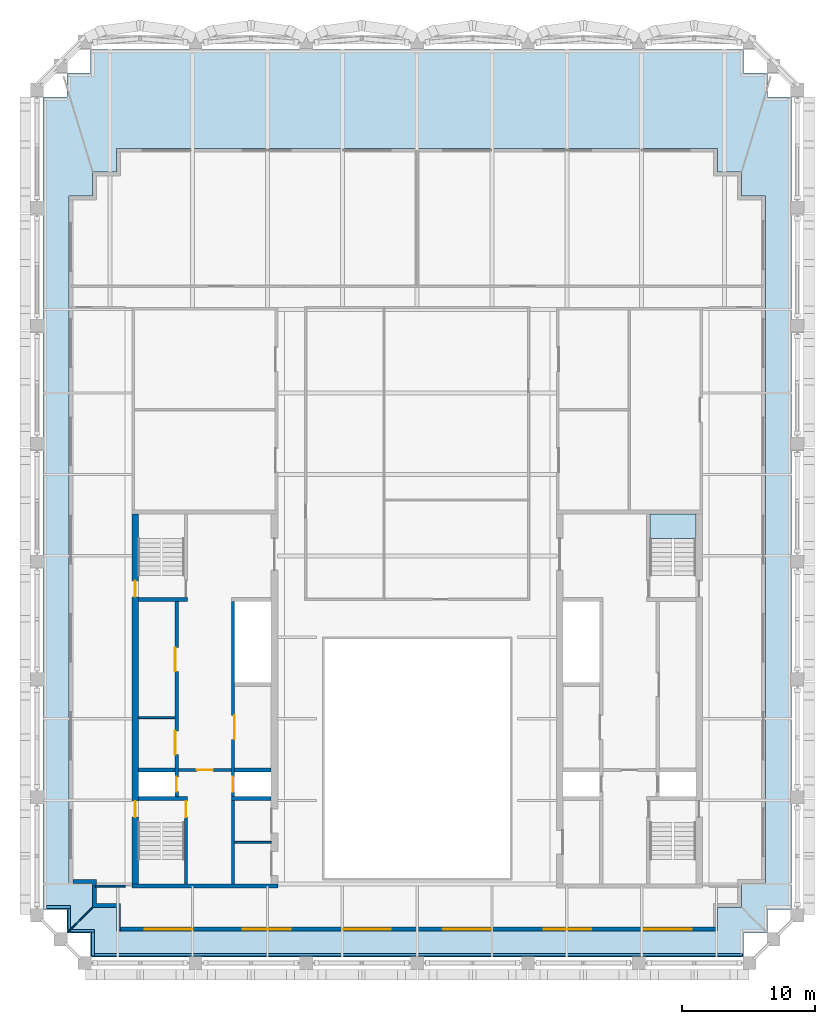
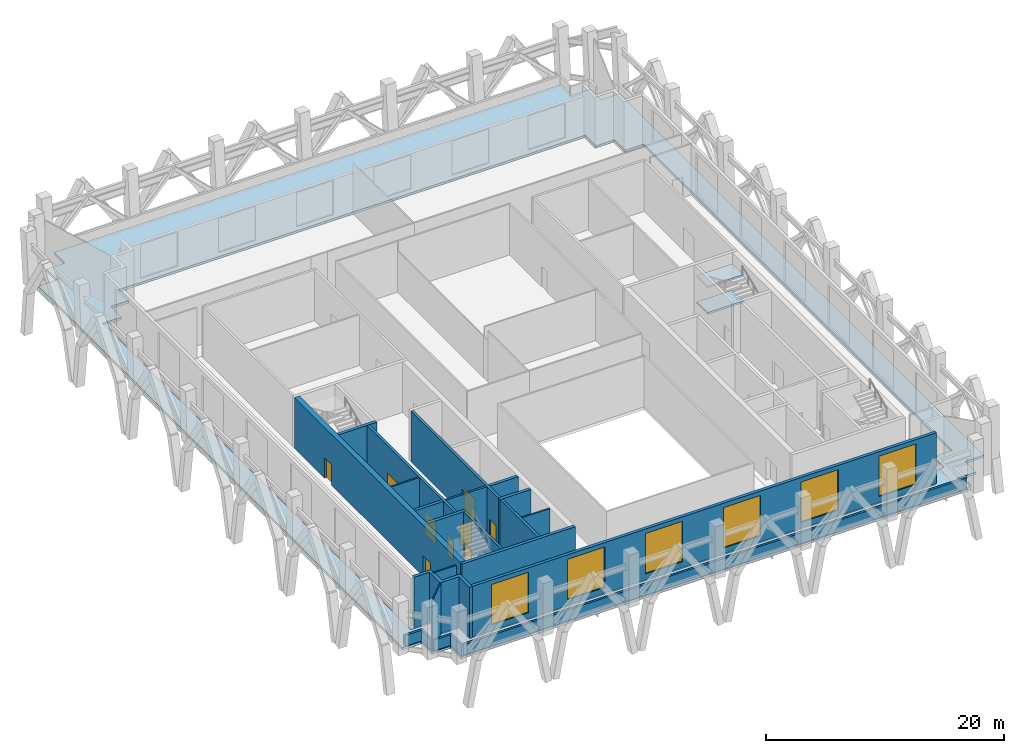
# One storey, part 4 of 13: 22 walls, 9 doors, 6 windows, 3 slabs, 15 openings, 1 element without a shape of its own.
"""IFC4 building model written with IfcOpenShell, lengths in metres."""

from ifc_helpers import new_model, si_unit, direction, frame, frame_2d, origin, place, context, subcontext, project, spatial, polyline, rectangle, outline, extrude, material, layer, layer_set, type_object, element, fill, aggregate, save


model = new_model("IFC4")

# Units and contexts
model_context = context("Model", 3, precision=1e-05, world=origin(), true_north=direction((0.0, 1.0)))
body_context = subcontext(model_context, "Body", "Model", "MODEL_VIEW")
ifc_project = project(units=[si_unit("LENGTHUNIT", "METRE"), si_unit("AREAUNIT", "SQUARE_METRE"), si_unit("VOLUMEUNIT", "CUBIC_METRE"), si_unit("PLANEANGLEUNIT", "RADIAN"), si_unit("MASSUNIT", "GRAM", prefix="KILO")], contexts=[model_context])

# Site, building, storey
site_placement = place(None, origin())
site = spatial("IfcSite", under=ifc_project, at=site_placement, CompositionType="ELEMENT")
building_placement = place(site_placement, origin())
building = spatial("IfcBuilding", under=site, at=building_placement, Name="Ogive Exchange Tower", CompositionType="ELEMENT")
storey_placement = place(building_placement, frame((0.0, 0.0, 363.60009765625)))
storey = spatial("IfcBuildingStorey", under=building, at=storey_placement, Name="L80", CompositionType="ELEMENT", Elevation=363.60009765625)

# Slab
ifc_material_1 = material(Name="Concrete C50/60", Category="concrete")
ifc_layer_1 = layer(ifc_material_1, 0.25)
ifc_layer_set_1 = layer_set([ifc_layer_1], Name="Loggia deck 250")
slab_type_1 = type_object("IfcSlabType", Name="Loggia deck 250", PredefinedType="FLOOR", material=ifc_layer_set_1)
slab_1_placement = place(storey_placement, frame((0.0, 0.0, -0.300048828125)))
element("IfcSlab", 1, at=slab_1_placement, inside=storey, type_object=slab_type_1, Name="Loggia deck", PredefinedType="FLOOR", context=body_context, shape_type="SweptSolid", body=[
    extrude(outline(polyline([(-24.60009765625, -6.14990234375), (-26.39990234375, -6.14990234375), (-26.39990234375, -4.35009765625), (-28.199951171875, -4.35009765625), (-28.199951171875, 56.859130859375), (-26.39990234375, 56.859130859375), (-26.39990234375, 58.6591796875), (-24.60009765625, 58.6591796875), (-24.60009765625, 60.458984375), (24.60009765625, 60.458984375), (24.60009765625, 58.6591796875), (26.39990234375, 58.6591796875), (26.39990234375, 56.859130859375), (28.199951171875, 56.859130859375), (28.199951171875, -4.35009765625), (26.39990234375, -4.35009765625), (26.39990234375, -6.14990234375), (24.60009765625, -6.14990234375), (24.60009765625, -7.949951171875), (-24.60009765625, -7.949951171875), (-24.60009765625, -6.14990234375)]), holes=[polyline([(22.64990234375, -4.199951171875), (24.449951171875, -4.199951171875), (24.449951171875, -2.39990234375), (26.25, -2.39990234375), (26.25, 49.39990234375), (24.449951171875, 49.39990234375), (24.449951171875, 51.199951171875), (22.64990234375, 51.199951171875), (22.64990234375, 53.0), (-22.64990234375, 53.0), (-22.64990234375, 51.199951171875), (-24.449951171875, 51.199951171875), (-24.449951171875, 49.39990234375), (-26.25, 49.39990234375), (-26.25, -2.39990234375), (-24.449951171875, -2.39990234375), (-24.449951171875, -4.199951171875), (-22.64990234375, -4.199951171875), (-22.64990234375, -6.0), (22.64990234375, -6.0), (22.64990234375, -4.199951171875)])]), origin(), (0.0, 0.0, 1.0), 0.25),
])

# Stair, slabs
ifc_material_2 = material(Name="Concrete C40/50", Category="concrete")
stair_type = type_object("IfcStairType", Name="Exit stair 1650 wide", PredefinedType="HALF_TURN_STAIR", material=ifc_material_2)
stair_placement = place(storey_placement, origin())
stair = element("IfcStair", 2, at=stair_placement, inside=storey, type_object=stair_type, Name="L80 exit stair ST4", PredefinedType="HALF_TURN_STAIR")
ifc_layer_2 = layer(ifc_material_2, 0.199951171875)
ifc_layer_set_2 = layer_set([ifc_layer_2], Name="Stair landing 200 slab")
slab_type_2 = type_object("IfcSlabType", Name="Stair landing 200 slab", PredefinedType="LANDING", material=ifc_layer_set_2)
slab_2_placement = place(storey_placement, frame((0.0, 0.0, 1.14990234375)))
slab_2 = element("IfcSlab", 3, at=slab_2_placement, type_object=slab_type_2, Name="ST4 landing 1", PredefinedType="LANDING", context=body_context, shape_type="SweptSolid", body=[
    extrude(outline(polyline([(21.0, 23.60791015625), (21.0, 25.449951171875), (17.550048828125, 25.449951171875), (17.550048828125, 23.60791015625), (21.0, 23.60791015625)])), origin(), (0.0, 0.0, 1.0), 0.199951171875),
])
slab_3_placement = place(storey_placement, frame((0.0, 0.0, 3.849853515625)))
slab_3 = element("IfcSlab", 4, at=slab_3_placement, type_object=slab_type_2, Name="ST4 landing 3", PredefinedType="LANDING", context=body_context, shape_type="SweptSolid", body=[
    extrude(outline(polyline([(21.0, 23.60791015625), (21.0, 25.449951171875), (17.550048828125, 25.449951171875), (17.550048828125, 23.60791015625), (21.0, 23.60791015625)])), origin(), (0.0, 0.0, 1.0), 0.199951171875),
])
aggregate(stair, [slab_2, slab_3])

# Walls
ifc_material_3 = material(Name="Gypsum board partition")
ifc_layer_3 = layer(ifc_material_3, 0.14990234375)
ifc_layer_set_3 = layer_set([ifc_layer_3], Name="Core room partition 150 gypsum")
wall_type_1 = type_object("IfcWallType", Name="Core room partition 150 gypsum", PredefinedType="PARTITIONING", material=ifc_layer_set_3)
for number, where, z_axis, x_axis, name in (
    (5, (-21.0, 10.10009765625, 0.0), (0.0, 0.0, 1.0), (1.0, 0.0, 0.0), "W row A bay partition 1-1"),
    (6, (-13.75, 0.699951171875, 0.0), (0.0, 0.0, 1.0), (1.0, 0.0, 0.0), "W south room partition"),
):
    element("IfcWall", number, at=place(storey_placement, frame(where, z_axis=z_axis, x_axis=x_axis)), inside=storey, type_object=wall_type_1, Name=name, PredefinedType="PARTITIONING", context=body_context, shape_type="SweptSolid", body=[
        extrude(rectangle(XDim=2.75, YDim=0.14990234375, at=frame_2d((1.375, 0.0))), origin(), (0.0, 0.0, 1.0), 5.199951171875),
    ])
ifc_material_4 = material(Name="Fire partition EI 60 150")
ifc_layer_4 = layer(ifc_material_4, 0.14990234375)
ifc_layer_set_4 = layer_set([ifc_layer_4], Name="Fire partition EI 60 150")
wall_type_2 = type_object("IfcWallType", Name="Fire partition EI 60 150", PredefinedType="PARTITIONING", material=ifc_layer_set_4)
wall_1_placement = place(storey_placement, frame((-24.25, -2.60009765625, 0.0), z_axis=(0.0, 0.0, 1.0), x_axis=(1.0, 0.0, 0.0)))
element("IfcWall", 7, at=wall_1_placement, inside=storey, type_object=wall_type_2, Name="L80-PWL-002", PredefinedType="PARTITIONING", context=body_context, shape_type="SweptSolid", body=[
    extrude(rectangle(XDim=2.25, YDim=0.14990234375, at=frame_2d((1.125, 0.0))), origin(), (0.0, 0.0, 1.0), 5.199951171875),
])

# Wall, openings, windows
ifc_material_5 = material(Name="Precast concrete C40/50", Category="concrete")
ifc_layer_5 = layer(ifc_material_5, 0.300048828125)
ifc_layer_set_5 = layer_set([ifc_layer_5], Name="Limestone-faced wall 300")
wall_type_3 = type_object("IfcWallType", Name="Limestone-faced wall 300", PredefinedType="STANDARD", material=ifc_layer_set_5)
wall_2_placement = place(storey_placement, frame((-22.35009765625, -5.85009765625, 0.0), z_axis=(0.0, 0.0, 1.0), x_axis=(1.0, 0.0, 0.0)))
wall_2 = element("IfcWall", 8, at=wall_2_placement, inside=storey, type_object=wall_type_3, Name="External wall S1", PredefinedType="STANDARD", context=body_context, shape_type="SweptSolid", body=[
    extrude(rectangle(XDim=45.0, YDim=0.300048828125, at=frame_2d((22.5, 0.0))), origin(), (0.0, 0.0, 1.0), 5.199951171875),
])
opening_1_placement = place(wall_2_placement, frame((1.824951171875, 0.0, 0.60009765625)))
opening_1 = element("IfcOpeningElement", 9, at=opening_1_placement, cuts=wall_2, Name="Opening LV1", PredefinedType="OPENING", context=body_context, shape_type="SweptSolid", body=[
    extrude(rectangle(XDim=3.60009765625, YDim=4.14990234375, at=frame_2d((1.800048828125, 2.074951171875))), frame((0.0, 0.159912109375, 0.0), z_axis=(0.0, -1.0, 0.0), x_axis=(1.0, 0.0, 0.0)), (0.0, 0.0, 1.0), 0.320068359375),
])
opening_2_placement = place(wall_2_placement, frame((9.22509765625, 0.0, 0.60009765625)))
opening_2 = element("IfcOpeningElement", 10, at=opening_2_placement, cuts=wall_2, Name="Opening LV1", PredefinedType="OPENING", context=body_context, shape_type="SweptSolid", body=[
    extrude(rectangle(XDim=3.60009765625, YDim=4.14990234375, at=frame_2d((1.800048828125, 2.074951171875))), frame((0.0, 0.159912109375, 0.0), z_axis=(0.0, -1.0, 0.0), x_axis=(1.0, 0.0, 0.0)), (0.0, 0.0, 1.0), 0.320068359375),
])
opening_3_placement = place(wall_2_placement, frame((16.77490234375, 0.0, 0.60009765625)))
opening_3 = element("IfcOpeningElement", 11, at=opening_3_placement, cuts=wall_2, Name="Opening LV1", PredefinedType="OPENING", context=body_context, shape_type="SweptSolid", body=[
    extrude(rectangle(XDim=3.60009765625, YDim=4.14990234375, at=frame_2d((1.800048828125, 2.074951171875))), frame((0.0, 0.159912109375, 0.0), z_axis=(0.0, -1.0, 0.0), x_axis=(1.0, 0.0, 0.0)), (0.0, 0.0, 1.0), 0.320068359375),
])
opening_4_placement = place(wall_2_placement, frame((24.324951171875, 0.0, 0.60009765625)))
opening_4 = element("IfcOpeningElement", 12, at=opening_4_placement, cuts=wall_2, Name="Opening LV1", PredefinedType="OPENING", context=body_context, shape_type="SweptSolid", body=[
    extrude(rectangle(XDim=3.60009765625, YDim=4.14990234375, at=frame_2d((1.800048828125, 2.074951171875))), frame((0.0, 0.159912109375, 0.0), z_axis=(0.0, -1.0, 0.0), x_axis=(1.0, 0.0, 0.0)), (0.0, 0.0, 1.0), 0.320068359375),
])
opening_5_placement = place(wall_2_placement, frame((31.875, 0.0, 0.60009765625)))
opening_5 = element("IfcOpeningElement", 13, at=opening_5_placement, cuts=wall_2, Name="Opening LV1", PredefinedType="OPENING", context=body_context, shape_type="SweptSolid", body=[
    extrude(rectangle(XDim=3.60009765625, YDim=4.14990234375, at=frame_2d((1.800048828125, 2.074951171875))), frame((0.0, 0.159912109375, 0.0), z_axis=(0.0, -1.0, 0.0), x_axis=(1.0, 0.0, 0.0)), (0.0, 0.0, 1.0), 0.320068359375),
])
opening_6_placement = place(wall_2_placement, frame((39.425048828125, 0.0, 0.60009765625)))
opening_6 = element("IfcOpeningElement", 14, at=opening_6_placement, cuts=wall_2, Name="Opening LV1", PredefinedType="OPENING", context=body_context, shape_type="SweptSolid", body=[
    extrude(rectangle(XDim=3.60009765625, YDim=4.14990234375, at=frame_2d((1.800048828125, 2.074951171875))), frame((0.0, 0.159912109375, 0.0), z_axis=(0.0, -1.0, 0.0), x_axis=(1.0, 0.0, 0.0)), (0.0, 0.0, 1.0), 0.320068359375),
])
ifc_material_6 = material(Name="Anodised aluminium louvre", Category="aluminium")
window_type = type_object("IfcWindowType", Name="Plant louvre 3600 x 4150", PartitioningType="DOUBLE_PANEL_HORIZONTAL", PredefinedType="WINDOW", material=ifc_material_6)
window_1_placement = place(opening_1_placement, origin())
window_1 = element("IfcWindow", 15, at=window_1_placement, inside=storey, type_object=window_type, Name="Louvre S00", OverallHeight=4.14990234375, OverallWidth=3.60009765625, PartitioningType="DOUBLE_PANEL_HORIZONTAL", PredefinedType="WINDOW", context=body_context, shape_type="SweptSolid", body=[
    extrude(rectangle(XDim=3.60009765625, YDim=4.14990234375, at=frame_2d((1.800048828125, 2.074951171875))), frame((0.0, 0.030029296875, 0.0), z_axis=(0.0, -1.0, 0.0), x_axis=(1.0, 0.0, 0.0)), (0.0, 0.0, 1.0), 0.06005859375),
])
fill(opening_1, window_1)
window_2_placement = place(opening_2_placement, origin())
window_2 = element("IfcWindow", 16, at=window_2_placement, inside=storey, type_object=window_type, Name="Louvre S01", OverallHeight=4.14990234375, OverallWidth=3.60009765625, PartitioningType="DOUBLE_PANEL_HORIZONTAL", PredefinedType="WINDOW", context=body_context, shape_type="SweptSolid", body=[
    extrude(rectangle(XDim=3.60009765625, YDim=4.14990234375, at=frame_2d((1.800048828125, 2.074951171875))), frame((0.0, 0.030029296875, 0.0), z_axis=(0.0, -1.0, 0.0), x_axis=(1.0, 0.0, 0.0)), (0.0, 0.0, 1.0), 0.06005859375),
])
fill(opening_2, window_2)
window_3_placement = place(opening_3_placement, origin())
window_3 = element("IfcWindow", 17, at=window_3_placement, inside=storey, type_object=window_type, Name="Louvre S02", OverallHeight=4.14990234375, OverallWidth=3.60009765625, PartitioningType="DOUBLE_PANEL_HORIZONTAL", PredefinedType="WINDOW", context=body_context, shape_type="SweptSolid", body=[
    extrude(rectangle(XDim=3.60009765625, YDim=4.14990234375, at=frame_2d((1.800048828125, 2.074951171875))), frame((0.0, 0.030029296875, 0.0), z_axis=(0.0, -1.0, 0.0), x_axis=(1.0, 0.0, 0.0)), (0.0, 0.0, 1.0), 0.06005859375),
])
fill(opening_3, window_3)
window_4_placement = place(opening_4_placement, origin())
window_4 = element("IfcWindow", 18, at=window_4_placement, inside=storey, type_object=window_type, Name="Louvre S03", OverallHeight=4.14990234375, OverallWidth=3.60009765625, PartitioningType="DOUBLE_PANEL_HORIZONTAL", PredefinedType="WINDOW", context=body_context, shape_type="SweptSolid", body=[
    extrude(rectangle(XDim=3.60009765625, YDim=4.14990234375, at=frame_2d((1.800048828125, 2.074951171875))), frame((0.0, 0.030029296875, 0.0), z_axis=(0.0, -1.0, 0.0), x_axis=(1.0, 0.0, 0.0)), (0.0, 0.0, 1.0), 0.06005859375),
])
fill(opening_4, window_4)
window_5_placement = place(opening_5_placement, origin())
window_5 = element("IfcWindow", 19, at=window_5_placement, inside=storey, type_object=window_type, Name="Louvre S04", OverallHeight=4.14990234375, OverallWidth=3.60009765625, PartitioningType="DOUBLE_PANEL_HORIZONTAL", PredefinedType="WINDOW", context=body_context, shape_type="SweptSolid", body=[
    extrude(rectangle(XDim=3.60009765625, YDim=4.14990234375, at=frame_2d((1.800048828125, 2.074951171875))), frame((0.0, 0.030029296875, 0.0), z_axis=(0.0, -1.0, 0.0), x_axis=(1.0, 0.0, 0.0)), (0.0, 0.0, 1.0), 0.06005859375),
])
fill(opening_5, window_5)
window_6_placement = place(opening_6_placement, origin())
window_6 = element("IfcWindow", 20, at=window_6_placement, inside=storey, type_object=window_type, Name="Louvre S05", OverallHeight=4.14990234375, OverallWidth=3.60009765625, PartitioningType="DOUBLE_PANEL_HORIZONTAL", PredefinedType="WINDOW", context=body_context, shape_type="SweptSolid", body=[
    extrude(rectangle(XDim=3.60009765625, YDim=4.14990234375, at=frame_2d((1.800048828125, 2.074951171875))), frame((0.0, 0.030029296875, 0.0), z_axis=(0.0, -1.0, 0.0), x_axis=(1.0, 0.0, 0.0)), (0.0, 0.0, 1.0), 0.06005859375),
])
fill(opening_6, window_6)

# Walls
wall_3_placement = place(storey_placement, origin())
element("IfcWall", 21, at=wall_3_placement, inside=storey, type_object=wall_type_3, Name="External corner wall C4", PredefinedType="STANDARD", context=body_context, shape_type="SweptSolid", body=[
    extrude(outline(polyline([(-22.64990234375, -4.199951171875), (-24.449951171875, -4.199951171875), (-24.449951171875, -2.39990234375), (-25.949951171875, -2.39990234375), (-25.949951171875, -2.10009765625), (-24.14990234375, -2.10009765625), (-24.14990234375, -3.89990234375), (-22.35009765625, -3.89990234375), (-22.35009765625, -6.0), (-22.64990234375, -6.0), (-22.64990234375, -4.199951171875)])), origin(), (0.0, 0.0, 1.0), 5.199951171875),
])
ifc_material_7 = material(Name="Laminated safety glass in steel frame", Category="steel")
ifc_layer_6 = layer(ifc_material_7, 0.10009765625)
ifc_layer_set_6 = layer_set([ifc_layer_6], Name="Loggia end screen 100")
wall_type_4 = type_object("IfcWallType", Name="Loggia end screen 100", PredefinedType="STANDARD", material=ifc_layer_set_6)
wall_4_placement = place(storey_placement, frame((-24.449951171875, -4.199951171875, -0.050048828125), z_axis=(0.0, 0.0, 1.0), x_axis=(-0.707106781187, -0.707106781187, 0.0)))
element("IfcWall", 22, at=wall_4_placement, inside=storey, type_object=wall_type_4, Name="Loggia end screen C4", PredefinedType="STANDARD", context=body_context, shape_type="SweptSolid", body=[
    extrude(rectangle(XDim=2.667236328125, YDim=0.10009765625, at=frame_2d((1.33349609375, 0.0))), origin(), (0.0, 0.0, 1.0), 5.25),
])
ifc_layer_7 = layer(ifc_material_5, 0.199951171875)
ifc_layer_set_7 = layer_set([ifc_layer_7], Name="Plant deck parapet 200")
wall_type_5 = type_object("IfcWallType", Name="Plant deck parapet 200", PredefinedType="STANDARD", material=ifc_layer_set_7)
wall_5_placement = place(storey_placement, frame((-24.330078125, -7.780029296875, -0.050048828125), z_axis=(0.0, 0.0, 1.0), x_axis=(1.0, 0.0, 0.0)))
element("IfcWall", 23, at=wall_5_placement, inside=storey, type_object=wall_type_5, Name="Plant deck parapet 1", PredefinedType="STANDARD", context=body_context, shape_type="SweptSolid", body=[
    extrude(rectangle(XDim=48.860107421875, YDim=0.199951171875, at=frame_2d((24.43017578125, 0.0))), origin(), (0.0, 0.0, 1.0), 1.099853515625),
])
wall_6_placement = place(storey_placement, frame((-27.929931640625, -4.179931640625, -0.050048828125), z_axis=(0.0, 0.0, 1.0), x_axis=(1.0, 0.0, 0.0)))
element("IfcWall", 24, at=wall_6_placement, inside=storey, type_object=wall_type_5, Name="Plant deck parapet 17", PredefinedType="STANDARD", context=body_context, shape_type="SweptSolid", body=[
    extrude(rectangle(XDim=1.800048828125, YDim=0.199951171875, at=frame_2d((0.89990234375, 0.0))), origin(), (0.0, 0.0, 1.0), 1.099853515625),
])
wall_7_placement = place(storey_placement, frame((-26.22998046875, -4.280029296875, -0.050048828125), z_axis=(0.0, 0.0, 1.0), x_axis=(0.0, -1.0, 0.0)))
element("IfcWall", 25, at=wall_7_placement, inside=storey, type_object=wall_type_5, Name="Plant deck parapet 18", PredefinedType="STANDARD", context=body_context, shape_type="SweptSolid", body=[
    extrude(rectangle(XDim=1.608154296875, YDim=0.199951171875, at=frame_2d((0.80419921875, 0.0))), origin(), (0.0, 0.0, 1.0), 1.099853515625),
])
for number, where, z_axis, x_axis, name in (
    (26, (-26.1298828125, -5.97998046875, -0.050048828125), (0.0, 0.0, 1.0), (1.0, 0.0, 0.0), "Plant deck parapet 19"),
    (27, (-24.429931640625, -6.080078125, -0.050048828125), (0.0, 0.0, 1.0), (0.0, -1.0, 0.0), "Plant deck parapet 20"),
):
    element("IfcWall", number, at=place(storey_placement, frame(where, z_axis=z_axis, x_axis=x_axis)), inside=storey, type_object=wall_type_5, Name=name, PredefinedType="STANDARD", context=body_context, shape_type="SweptSolid", body=[
        extrude(rectangle(XDim=1.7998046875, YDim=0.199951171875, at=frame_2d((0.89990234375, 0.0))), origin(), (0.0, 0.0, 1.0), 1.099853515625),
    ])

# Wall, opening, door
ifc_material_8 = material(Name="Concrete C70/85", Category="concrete")
ifc_layer_8 = layer(ifc_material_8, 0.199951171875)
ifc_layer_set_8 = layer_set([ifc_layer_8], Name="RC core wall 200 C70/85")
wall_type_6 = type_object("IfcWallType", Name="RC core wall 200 C70/85", PredefinedType="SHEAR", material=ifc_layer_set_8)
wall_8_placement = place(storey_placement, frame((-18.0, 6.142822265625, 0.0), z_axis=(0.0, 0.0, 1.0), x_axis=(1.0, 0.0, 0.0)))
wall_8 = element("IfcWall", 28, at=wall_8_placement, inside=storey, type_object=wall_type_6, Name="W firefighting lobby wall", PredefinedType="SHEAR", context=body_context, shape_type="SweptSolid", body=[
    extrude(rectangle(XDim=4.0, YDim=0.199951171875, at=frame_2d((2.0, 0.0))), origin(), (0.0, 0.0, 1.0), 5.199951171875),
])
opening_7_placement = place(wall_8_placement, frame((1.39990234375, 0.0, 0.0)))
opening_7 = element("IfcOpeningElement", 29, at=opening_7_placement, cuts=wall_8, Name="Opening L80-C06", PredefinedType="OPENING", context=body_context, shape_type="SweptSolid", body=[
    extrude(rectangle(XDim=1.199951171875, YDim=2.10009765625, at=frame_2d((0.60009765625, 1.050048828125))), frame((0.0, 0.10986328125, 0.0), z_axis=(0.0, -1.0, 0.0), x_axis=(1.0, 0.0, 0.0)), (0.0, 0.0, 1.0), 0.219970703125),
])
ifc_material_9 = material(Name="Steel fire door", Category="steel")
door_type_1 = type_object("IfcDoorType", Name="Firefighting lobby door FD60 1200 x 2100", OperationType="NOTDEFINED", PredefinedType="DOOR", material=ifc_material_9)
door_1_placement = place(opening_7_placement, frame((1.199951171875, 0.0, 0.0), z_axis=(0.0, 0.0, 1.0), x_axis=(-1.0, 0.0, 0.0)))
door_1 = element("IfcDoor", 30, at=door_1_placement, inside=storey, type_object=door_type_1, Name="Firefighting lobby door", ObjectType="CD3", OperationType="SINGLE_SWING_RIGHT", OverallHeight=2.10009765625, OverallWidth=1.199951171875, PredefinedType="DOOR", context=body_context, shape_type="SweptSolid", body=[
    extrude(rectangle(XDim=1.199951171875, YDim=2.10009765625, at=frame_2d((0.60009765625, 1.050048828125))), frame((0.0, 0.02490234375, 0.0), z_axis=(0.0, -1.0, 0.0), x_axis=(1.0, 0.0, 0.0)), (0.0, 0.0, 1.0), 0.050048828125),
])
fill(opening_7, door_1)

ifc_layer_9 = layer(ifc_material_8, 0.25)
ifc_layer_set_9 = layer_set([ifc_layer_9], Name="RC core wall 250 C70/85")
wall_type_7 = type_object("IfcWallType", Name="RC core wall 250 C70/85", PredefinedType="SHEAR", material=ifc_layer_set_9)
wall_9_placement = place(storey_placement, frame((-17.425048828125, -2.449951171875, 0.0), z_axis=(0.0, 0.0, 1.0), x_axis=(0.0, 1.0, 0.0)))
wall_9 = element("IfcWall", 31, at=wall_9_placement, inside=storey, type_object=wall_type_7, Name="W stair S front wall", PredefinedType="SHEAR", context=body_context, shape_type="SweptSolid", body=[
    extrude(rectangle(XDim=6.300048828125, YDim=0.25, at=frame_2d((3.14990234375, 0.0))), origin(), (0.0, 0.0, 1.0), 5.199951171875),
])
opening_8_placement = place(wall_9_placement, frame((5.050048828125, 0.0, 0.0)))
opening_8 = element("IfcOpeningElement", 32, at=opening_8_placement, cuts=wall_9, Name="Opening L80-C08", PredefinedType="OPENING", context=body_context, shape_type="SweptSolid", body=[
    extrude(rectangle(XDim=1.199951171875, YDim=2.10009765625, at=frame_2d((0.60009765625, 1.050048828125))), frame((0.0, 0.135009765625, 0.0), z_axis=(0.0, -1.0, 0.0), x_axis=(1.0, 0.0, 0.0)), (0.0, 0.0, 1.0), 0.27001953125),
])
door_type_2 = type_object("IfcDoorType", Name="Stair door FD90 1200 x 2100", OperationType="NOTDEFINED", PredefinedType="DOOR", material=ifc_material_9)
door_2_placement = place(opening_8_placement, origin())
door_2 = element("IfcDoor", 33, at=door_2_placement, inside=storey, type_object=door_type_2, Name="Stair door", ObjectType="CD5", OperationType="SINGLE_SWING_LEFT", OverallHeight=2.10009765625, OverallWidth=1.199951171875, PredefinedType="DOOR", context=body_context, shape_type="SweptSolid", body=[
    extrude(rectangle(XDim=1.199951171875, YDim=2.10009765625, at=frame_2d((0.60009765625, 1.050048828125))), frame((0.0, 0.02490234375, 0.0), z_axis=(0.0, -1.0, 0.0), x_axis=(1.0, 0.0, 0.0)), (0.0, 0.0, 1.0), 0.050048828125),
])
fill(opening_8, door_2)

# Wall, openings, doors
wall_10_placement = place(storey_placement, frame((-18.125, 4.14990234375, 0.0), z_axis=(0.0, 0.0, 1.0), x_axis=(0.0, 1.0, 0.0)))
wall_10 = element("IfcWall", 34, at=wall_10_placement, inside=storey, type_object=wall_type_7, Name="W row A front wall", PredefinedType="SHEAR", context=body_context, shape_type="SweptSolid", body=[
    extrude(rectangle(XDim=14.7001953125, YDim=0.25, at=frame_2d((7.35009765625, 0.0))), origin(), (0.0, 0.0, 1.0), 5.199951171875),
])
opening_9_placement = place(wall_10_placement, frame((3.146484375, 0.0, 0.0)))
opening_9 = element("IfcOpeningElement", 35, at=opening_9_placement, cuts=wall_10, Name="Opening L80-C01", PredefinedType="OPENING", context=body_context, shape_type="SweptSolid", body=[
    extrude(rectangle(XDim=1.800048828125, YDim=2.39990234375, at=frame_2d((0.89990234375, 1.199951171875))), frame((0.0, 0.135009765625, 0.0), z_axis=(0.0, -1.0, 0.0), x_axis=(1.0, 0.0, 0.0)), (0.0, 0.0, 1.0), 0.27001953125),
])
opening_10_placement = place(wall_10_placement, frame((9.425048828125, 0.0, 0.0)))
opening_10 = element("IfcOpeningElement", 36, at=opening_10_placement, cuts=wall_10, Name="Opening L80-C02", PredefinedType="OPENING", context=body_context, shape_type="SweptSolid", body=[
    extrude(rectangle(XDim=1.800048828125, YDim=2.39990234375, at=frame_2d((0.89990234375, 1.199951171875))), frame((0.0, 0.135009765625, 0.0), z_axis=(0.0, -1.0, 0.0), x_axis=(1.0, 0.0, 0.0)), (0.0, 0.0, 1.0), 0.27001953125),
])
opening_11_placement = place(wall_10_placement, frame((0.371337890625, 0.0, 0.0)))
opening_11 = element("IfcOpeningElement", 37, at=opening_11_placement, cuts=wall_10, Name="Opening L80-C03", PredefinedType="OPENING", context=body_context, shape_type="SweptSolid", body=[
    extrude(rectangle(XDim=1.10009765625, YDim=2.10009765625, at=frame_2d((0.550048828125, 1.050048828125))), frame((0.0, 0.135009765625, 0.0), z_axis=(0.0, -1.0, 0.0), x_axis=(1.0, 0.0, 0.0)), (0.0, 0.0, 1.0), 0.27001953125),
])
ifc_material_10 = material(Name="Stainless steel", Category="steel")
door_type_3 = type_object("IfcDoorType", Name="Lift landing door FD90 1100 x 2100", OperationType="SLIDING_TO_LEFT", PredefinedType="DOOR", material=ifc_material_10)
door_3_placement = place(opening_11_placement, origin())
door_3 = element("IfcDoor", 38, at=door_3_placement, inside=storey, type_object=door_type_3, Name="Lift landing door FF1", ObjectType="LD", OperationType="SLIDING_TO_LEFT", OverallHeight=2.10009765625, OverallWidth=1.10009765625, PredefinedType="DOOR", context=body_context, shape_type="SweptSolid", body=[
    extrude(rectangle(XDim=1.10009765625, YDim=2.10009765625, at=frame_2d((0.550048828125, 1.050048828125))), frame((0.0, 0.02490234375, 0.0), z_axis=(0.0, -1.0, 0.0), x_axis=(1.0, 0.0, 0.0)), (0.0, 0.0, 1.0), 0.050048828125),
])
fill(opening_11, door_3)
door_type_4 = type_object("IfcDoorType", Name="Plant room door FD60 1800 x 2400", OperationType="DOUBLE_DOOR_SINGLE_SWING", PredefinedType="DOOR", material=ifc_material_9)
door_4_placement = place(opening_9_placement, origin())
door_4 = element("IfcDoor", 39, at=door_4_placement, inside=storey, type_object=door_type_4, Name="Plant room door", ObjectType="CD1", OperationType="DOUBLE_DOOR_SINGLE_SWING", OverallHeight=2.39990234375, OverallWidth=1.800048828125, PredefinedType="DOOR", context=body_context, shape_type="SweptSolid", body=[
    extrude(rectangle(XDim=1.800048828125, YDim=2.39990234375, at=frame_2d((0.89990234375, 1.199951171875))), frame((0.0, 0.125, 0.0), z_axis=(0.0, -1.0, 0.0), x_axis=(1.0, 0.0, 0.0)), (0.0, 0.0, 1.0), 0.050048828125),
])
fill(opening_9, door_4)
door_5_placement = place(opening_10_placement, origin())
door_5 = element("IfcDoor", 40, at=door_5_placement, inside=storey, type_object=door_type_4, Name="Plant room door", ObjectType="CD1", OperationType="DOUBLE_DOOR_SINGLE_SWING", OverallHeight=2.39990234375, OverallWidth=1.800048828125, PredefinedType="DOOR", context=body_context, shape_type="SweptSolid", body=[
    extrude(rectangle(XDim=1.800048828125, YDim=2.39990234375, at=frame_2d((0.89990234375, 1.199951171875))), frame((0.0, 0.125, 0.0), z_axis=(0.0, -1.0, 0.0), x_axis=(1.0, 0.0, 0.0)), (0.0, 0.0, 1.0), 0.050048828125),
])
fill(opening_10, door_5)

wall_11_placement = place(storey_placement, frame((-13.875, -2.449951171875, 0.0), z_axis=(0.0, 0.0, 1.0), x_axis=(0.0, 1.0, 0.0)))
wall_11 = element("IfcWall", 41, at=wall_11_placement, inside=storey, type_object=wall_type_7, Name="W row B front wall", PredefinedType="SHEAR", context=body_context, shape_type="SweptSolid", body=[
    extrude(rectangle(XDim=21.300048828125, YDim=0.25, at=frame_2d((10.64990234375, 0.0))), origin(), (0.0, 0.0, 1.0), 5.199951171875),
])
opening_12_placement = place(wall_11_placement, frame((10.906982421875, 0.0, 0.0)))
opening_12 = element("IfcOpeningElement", 42, at=opening_12_placement, cuts=wall_11, Name="Opening L80-C04", PredefinedType="OPENING", context=body_context, shape_type="SweptSolid", body=[
    extrude(rectangle(XDim=1.800048828125, YDim=2.39990234375, at=frame_2d((0.89990234375, 1.199951171875))), frame((0.0, 0.135009765625, 0.0), z_axis=(0.0, -1.0, 0.0), x_axis=(1.0, 0.0, 0.0)), (0.0, 0.0, 1.0), 0.27001953125),
])
opening_13_placement = place(wall_11_placement, frame((6.971435546875, 0.0, 0.0)))
opening_13 = element("IfcOpeningElement", 43, at=opening_13_placement, cuts=wall_11, Name="Opening L80-C05", PredefinedType="OPENING", context=body_context, shape_type="SweptSolid", body=[
    extrude(rectangle(XDim=1.10009765625, YDim=2.10009765625, at=frame_2d((0.550048828125, 1.050048828125))), frame((0.0, 0.135009765625, 0.0), z_axis=(0.0, -1.0, 0.0), x_axis=(1.0, 0.0, 0.0)), (0.0, 0.0, 1.0), 0.27001953125),
])
door_6_placement = place(opening_13_placement, origin())
door_6 = element("IfcDoor", 44, at=door_6_placement, inside=storey, type_object=door_type_3, Name="Lift landing door SV1", ObjectType="LD", OperationType="SLIDING_TO_LEFT", OverallHeight=2.10009765625, OverallWidth=1.10009765625, PredefinedType="DOOR", context=body_context, shape_type="SweptSolid", body=[
    extrude(rectangle(XDim=1.10009765625, YDim=2.10009765625, at=frame_2d((0.550048828125, 1.050048828125))), frame((0.0, 0.02490234375, 0.0), z_axis=(0.0, -1.0, 0.0), x_axis=(1.0, 0.0, 0.0)), (0.0, 0.0, 1.0), 0.050048828125),
])
fill(opening_13, door_6)
door_7_placement = place(opening_12_placement, frame((1.800048828125, -0.2001953125, 0.0), z_axis=(0.0, 0.0, 1.0), x_axis=(-1.0, 0.0, 0.0)))
door_7 = element("IfcDoor", 45, at=door_7_placement, inside=storey, type_object=door_type_4, Name="Plant room door", ObjectType="CD1", OperationType="DOUBLE_DOOR_SINGLE_SWING", OverallHeight=2.39990234375, OverallWidth=1.800048828125, PredefinedType="DOOR", context=body_context, shape_type="SweptSolid", body=[
    extrude(rectangle(XDim=1.800048828125, YDim=2.39990234375, at=frame_2d((0.89990234375, 1.199951171875))), frame((0.0, -0.0751953125, 0.0), z_axis=(0.0, -1.0, 0.0), x_axis=(1.0, 0.0, 0.0)), (0.0, 0.0, 1.0), 0.050048828125),
])
fill(opening_12, door_7)

# Walls
ifc_layer_10 = layer(ifc_material_8, 0.300048828125)
ifc_layer_set_10 = layer_set([ifc_layer_10], Name="RC core wall 300 C70/85")
wall_type_8 = type_object("IfcWallType", Name="RC core wall 300 C70/85", PredefinedType="SHEAR", material=ifc_layer_set_10)
wall_12_placement = place(storey_placement, frame((-21.5, -2.60009765625, 0.0), z_axis=(0.0, 0.0, 1.0), x_axis=(1.0, 0.0, 0.0)))
element("IfcWall", 46, at=wall_12_placement, inside=storey, type_object=wall_type_8, Name="W south end wall", PredefinedType="SHEAR", context=body_context, shape_type="SweptSolid", body=[
    extrude(rectangle(XDim=11.0, YDim=0.300048828125, at=frame_2d((5.5, 0.0))), origin(), (0.0, 0.0, 1.0), 5.199951171875),
])
for number, where, z_axis, x_axis, name in (
    (47, (-21.0, 4.0, 0.0), (0.0, 0.0, 1.0), (1.0, 0.0, 0.0), "W stair S north wall"),
    (48, (-21.0, 19.0, 0.0), (0.0, 0.0, 1.0), (1.0, 0.0, 0.0), "W stair N south wall"),
):
    element("IfcWall", number, at=place(storey_placement, frame(where, z_axis=z_axis, x_axis=x_axis)), inside=storey, type_object=wall_type_8, Name=name, PredefinedType="SHEAR", context=body_context, shape_type="SweptSolid", body=[
        extrude(rectangle(XDim=3.699951171875, YDim=0.300048828125, at=frame_2d((1.85009765625, 0.0))), origin(), (0.0, 0.0, 1.0), 5.199951171875),
    ])
wall_13_placement = place(storey_placement, frame((-21.0, 6.142822265625, 0.0), z_axis=(0.0, 0.0, 1.0), x_axis=(1.0, 0.0, 0.0)))
element("IfcWall", 49, at=wall_13_placement, inside=storey, type_object=wall_type_8, Name="W row A divider 1", PredefinedType="SHEAR", context=body_context, shape_type="SweptSolid", body=[
    extrude(rectangle(XDim=2.75, YDim=0.300048828125, at=frame_2d((1.375, 0.0))), origin(), (0.0, 0.0, 1.0), 5.199951171875),
])
wall_14_placement = place(storey_placement, frame((-14.0, 4.0, 0.0), z_axis=(0.0, 0.0, 1.0), x_axis=(1.0, 0.0, 0.0)))
element("IfcWall", 50, at=wall_14_placement, inside=storey, type_object=wall_type_8, Name="W row B divider 0", PredefinedType="SHEAR", context=body_context, shape_type="SweptSolid", body=[
    extrude(rectangle(XDim=3.0, YDim=0.300048828125, at=frame_2d((1.5, 0.0))), origin(), (0.0, 0.0, 1.0), 5.199951171875),
])
wall_15_placement = place(storey_placement, frame((-13.75, 6.142822265625, 0.0), z_axis=(0.0, 0.0, 1.0), x_axis=(1.0, 0.0, 0.0)))
element("IfcWall", 51, at=wall_15_placement, inside=storey, type_object=wall_type_8, Name="W row B divider 1", PredefinedType="SHEAR", context=body_context, shape_type="SweptSolid", body=[
    extrude(rectangle(XDim=2.75, YDim=0.300048828125, at=frame_2d((1.375, 0.0))), origin(), (0.0, 0.0, 1.0), 5.199951171875),
])

# Wall, openings, doors
ifc_layer_11 = layer(ifc_material_8, 0.5)
ifc_layer_set_11 = layer_set([ifc_layer_11], Name="RC core wall 500 C70/85")
wall_type_9 = type_object("IfcWallType", Name="RC core wall 500 C70/85", PredefinedType="SHEAR", material=ifc_layer_set_11)
wall_16_placement = place(storey_placement, frame((-21.25, -2.449951171875, 0.0), z_axis=(0.0, 0.0, 1.0), x_axis=(0.0, 1.0, 0.0)))
wall_16 = element("IfcWall", 52, at=wall_16_placement, inside=storey, type_object=wall_type_9, Name="W outer wall", PredefinedType="SHEAR", context=body_context, shape_type="SweptSolid", body=[
    extrude(rectangle(XDim=27.89990234375, YDim=0.5, at=frame_2d((13.949951171875, 0.0))), origin(), (0.0, 0.0, 1.0), 5.199951171875),
])
opening_14_placement = place(wall_16_placement, frame((5.050048828125, 0.0, 0.0)))
opening_14 = element("IfcOpeningElement", 53, at=opening_14_placement, cuts=wall_16, Name="Opening L80-C09", PredefinedType="OPENING", context=body_context, shape_type="SweptSolid", body=[
    extrude(rectangle(XDim=1.199951171875, YDim=2.10009765625, at=frame_2d((0.60009765625, 1.050048828125))), frame((0.0, 0.260009765625, 0.0), z_axis=(0.0, -1.0, 0.0), x_axis=(1.0, 0.0, 0.0)), (0.0, 0.0, 1.0), 0.52001953125),
])
opening_15_placement = place(wall_16_placement, frame((21.64990234375, 0.0, 0.0)))
opening_15 = element("IfcOpeningElement", 54, at=opening_15_placement, cuts=wall_16, Name="Opening L80-C11", PredefinedType="OPENING", context=body_context, shape_type="SweptSolid", body=[
    extrude(rectangle(XDim=1.199951171875, YDim=2.10009765625, at=frame_2d((0.60009765625, 1.050048828125))), frame((0.0, 0.260009765625, 0.0), z_axis=(0.0, -1.0, 0.0), x_axis=(1.0, 0.0, 0.0)), (0.0, 0.0, 1.0), 0.52001953125),
])
door_8_placement = place(opening_14_placement, origin())
door_8 = element("IfcDoor", 55, at=door_8_placement, inside=storey, type_object=door_type_2, Name="Stair door", ObjectType="CD5", OperationType="SINGLE_SWING_RIGHT", OverallHeight=2.10009765625, OverallWidth=1.199951171875, PredefinedType="DOOR", context=body_context, shape_type="SweptSolid", body=[
    extrude(rectangle(XDim=1.199951171875, YDim=2.10009765625, at=frame_2d((0.60009765625, 1.050048828125))), frame((0.0, 0.02490234375, 0.0), z_axis=(0.0, -1.0, 0.0), x_axis=(1.0, 0.0, 0.0)), (0.0, 0.0, 1.0), 0.050048828125),
])
fill(opening_14, door_8)
door_9_placement = place(opening_15_placement, origin())
door_9 = element("IfcDoor", 56, at=door_9_placement, inside=storey, type_object=door_type_2, Name="Stair door", ObjectType="CD5", OperationType="SINGLE_SWING_LEFT", OverallHeight=2.10009765625, OverallWidth=1.199951171875, PredefinedType="DOOR", context=body_context, shape_type="SweptSolid", body=[
    extrude(rectangle(XDim=1.199951171875, YDim=2.10009765625, at=frame_2d((0.60009765625, 1.050048828125))), frame((0.0, 0.02490234375, 0.0), z_axis=(0.0, -1.0, 0.0), x_axis=(1.0, 0.0, 0.0)), (0.0, 0.0, 1.0), 0.050048828125),
])
fill(opening_15, door_9)

save(model, "model.ifc")
